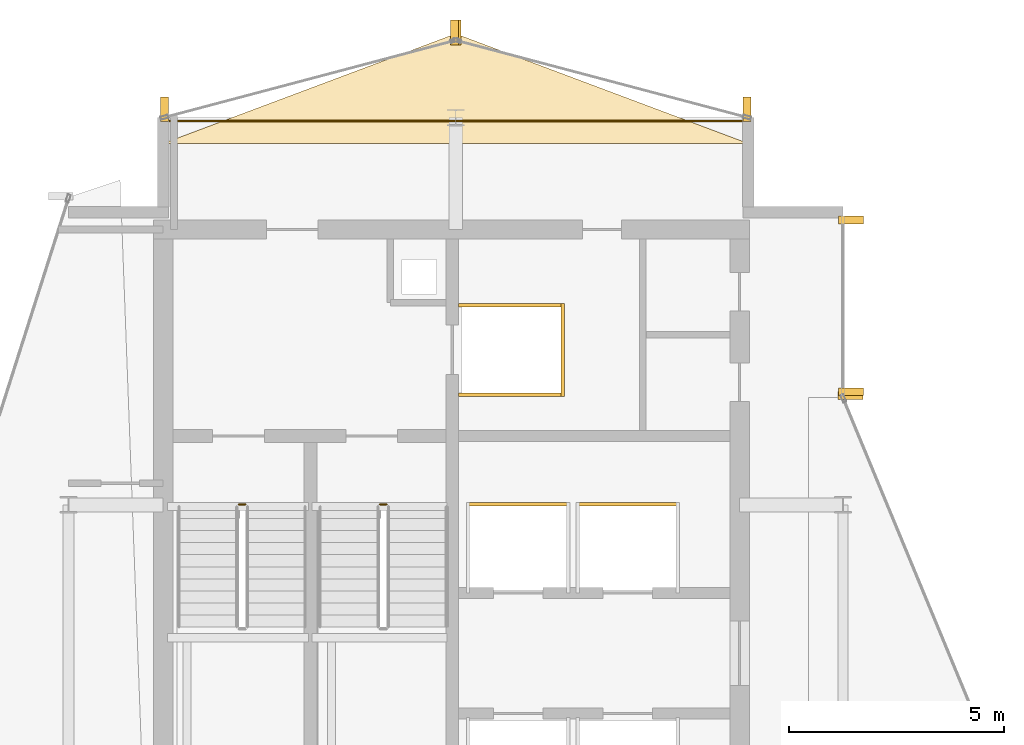
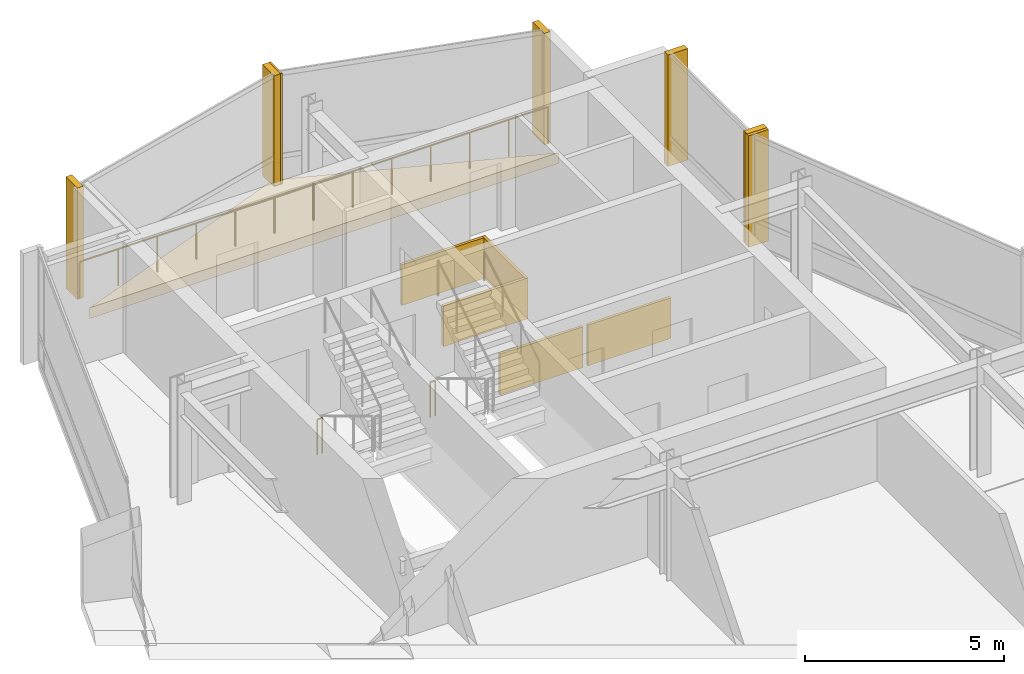
# One storey, part 19 of 19: 13 coverings, 3 railings.
"""IFC4 building model written with IfcOpenShell, lengths in metres."""

from ifc_helpers import new_model, si_unit, direction, frame, origin, origin_2d, place, context, subcontext, project, spatial, polyline, rectangle, circle, outline, extrude, material, layer, layer_set, type_object, element, save


model = new_model("IFC4")

# Units and contexts
model_context = context("Model", 3, precision=1e-05, world=origin(), true_north=direction((0.0, 1.0)))
body_context = subcontext(model_context, "Body", "Model", "MODEL_VIEW")
ifc_project = project(units=[si_unit("LENGTHUNIT", "METRE"), si_unit("AREAUNIT", "SQUARE_METRE"), si_unit("VOLUMEUNIT", "CUBIC_METRE"), si_unit("PLANEANGLEUNIT", "RADIAN"), si_unit("MASSUNIT", "GRAM", prefix="KILO")], contexts=[model_context])

# Site, building, storey
site_placement = place(None, origin())
site = spatial("IfcSite", under=ifc_project, at=site_placement, CompositionType="ELEMENT")
building_placement = place(site_placement, origin())
building = spatial("IfcBuilding", under=site, at=building_placement, Name="Solvaryn Broadcast Tower", CompositionType="ELEMENT")
storey_placement = place(building_placement, frame((0.0, 0.0, 263.0)))
storey = spatial("IfcBuildingStorey", under=building, at=storey_placement, Name="L66", CompositionType="ELEMENT", Elevation=263.0)

# Coverings
ifc_material_1 = material(Name="Fire-Rated Gypsum Shaftwall Liner", Category="concrete")
ifc_layer_1 = layer(ifc_material_1, 0.080078125)
ifc_layer_set_1 = layer_set([ifc_layer_1], Name="CV-SHAFT-LINER")
covering_type_1 = type_object("IfcCoveringType", Name="CV-SHAFT-LINER", PredefinedType="CLADDING", material=ifc_layer_set_1)
for number, where, z_axis, x_axis, name in (
    (1, (19.300048828125, 40.639892578125, 0.0), (0.0, 0.0, 1.0), (1.0, 0.0, 0.0), "L66 FL1 Hoistway Shaft Liner North"),
    (2, (19.300048828125, 38.56005859375, 0.0), (0.0, 0.0, 1.0), (1.0, 0.0, 0.0), "L66 FL1 Hoistway Shaft Liner South"),
):
    element("IfcCovering", number, at=place(storey_placement, frame(where, z_axis=z_axis, x_axis=x_axis)), inside=storey, type_object=covering_type_1, Name=name, PredefinedType="CLADDING", context=body_context, shape_type="SweptSolid", body=[
        extrude(rectangle(XDim=2.4599609375, YDim=0.080078125, at=origin_2d()), origin(), (0.0, 0.0, 1.0), 1.25),
    ])
covering_1_placement = place(storey_placement, frame((20.489990234375, 39.60009765625, 0.0), z_axis=(0.0, 0.0, 1.0), x_axis=(1.0, 0.0, 0.0)))
element("IfcCovering", 3, at=covering_1_placement, inside=storey, type_object=covering_type_1, Name="L66 FL1 Hoistway Shaft Liner East", PredefinedType="CLADDING", context=body_context, shape_type="SweptSolid", body=[
    extrude(rectangle(XDim=0.080078125, YDim=2.159912109375, at=origin_2d()), origin(), (0.0, 0.0, 1.0), 1.25),
])
for number, where, z_axis, x_axis, name in (
    (4, (19.449951171875, 36.014892578125, 0.0), (0.0, 0.0, 1.0), (1.0, 0.0, 0.0), "L66 PH3 Hoistway Shaft Liner North"),
    (5, (22.0, 36.014892578125, 0.0), (0.0, 0.0, 1.0), (1.0, 0.0, 0.0), "L66 PH4 Hoistway Shaft Liner North"),
):
    element("IfcCovering", number, at=place(storey_placement, frame(where, z_axis=z_axis, x_axis=x_axis)), inside=storey, type_object=covering_type_1, Name=name, PredefinedType="CLADDING", context=body_context, shape_type="SweptSolid", body=[
        extrude(rectangle(XDim=2.409912109375, YDim=0.080078125, at=origin_2d()), origin(), (0.0, 0.0, 1.0), 1.25),
    ])
ifc_material_2 = material(Name="Extruded Architectural Terracotta Fin", Category="masonry")
ifc_layer_2 = layer(ifc_material_2, 0.179931640625)
ifc_layer_set_2 = layer_set([ifc_layer_2], Name="CV-TC-FIN")
covering_type_2 = type_object("IfcCoveringType", Name="CV-TC-FIN", PredefinedType="USERDEFINED", material=ifc_layer_set_2)
for number, where, z_axis, x_axis, name in (
    (6, (27.1875, 42.6201171875, 0.0), (0.0, 0.0, 1.0), (1.0, 0.0, 0.0), "L66 Terracotta Vertical Fin FIN-L66-IV-M00"),
    (7, (27.1875, 38.6298828125, 0.0), (0.0, 0.0, 1.0), (1.0, 0.0, 0.0), "L66 Terracotta Vertical Fin FIN-L66-IV-M01"),
    (8, (27.177978515625, 38.541259765625, 0.0), (0.0, 0.0, 1.0), (1.0, 0.0, 0.0), "L66 Terracotta Vertical Fin FIN-L66-CN2-M01"),
):
    element("IfcCovering", number, at=place(storey_placement, frame(where, z_axis=z_axis, x_axis=x_axis)), inside=storey, type_object=covering_type_2, Name=name, ObjectType="FIN", PredefinedType="USERDEFINED", context=body_context, shape_type="SweptSolid", body=[
        extrude(rectangle(XDim=0.580078125, YDim=0.179931640625, at=origin_2d()), origin(), (0.0, 0.0, 1.0), 3.419921875),
    ])
for number, where, z_axis, x_axis, name in (
    (9, (24.77099609375, 45.1953125, 0.0), (0.0, 0.0, 1.0), (1.0, 0.0, 0.0), "L66 Terracotta Vertical Fin FIN-L66-NT1-M00"),
    (10, (18.029052734375, 46.979736328125, 0.0), (0.0, 0.0, 1.0), (1.0, 0.0, 0.0), "L66 Terracotta Vertical Fin FIN-L66-NT1-M01"),
    (11, (17.970947265625, 46.979736328125, 0.0), (0.0, 0.0, 1.0), (1.0, 0.0, 0.0), "L66 Terracotta Vertical Fin FIN-L66-NT2-M00"),
    (12, (11.22900390625, 45.1953125, 0.0), (0.0, 0.0, 1.0), (1.0, 0.0, 0.0), "L66 Terracotta Vertical Fin FIN-L66-NT2-M01"),
):
    element("IfcCovering", number, at=place(storey_placement, frame(where, z_axis=z_axis, x_axis=x_axis)), inside=storey, type_object=covering_type_2, Name=name, ObjectType="FIN", PredefinedType="USERDEFINED", context=body_context, shape_type="SweptSolid", body=[
        extrude(rectangle(XDim=0.179931640625, YDim=0.580078125, at=origin_2d()), origin(), (0.0, 0.0, 1.0), 3.419921875),
    ])
ifc_material_3 = material(Name="Sculpted Architectural Terracotta Wave Fascia", Category="masonry")
ifc_layer_3 = layer(ifc_material_3, 0.340087890625)
ifc_layer_set_3 = layer_set([ifc_layer_3], Name="CV-WAVE-TRAY")
covering_type_3 = type_object("IfcCoveringType", Name="CV-WAVE-TRAY", PredefinedType="CLADDING", material=ifc_layer_set_3)
covering_2_placement = place(storey_placement, frame((0.0, 0.0, -0.300048828125)))
element("IfcCovering", 13, at=covering_2_placement, inside=storey, type_object=covering_type_3, Name="L66 North Curved Wing Deck", PredefinedType="CLADDING", context=body_context, shape_type="SweptSolid", body=[
    extrude(outline(polyline([(11.199951171875, 44.39990234375), (24.800048828125, 44.39990234375), (18.0, 46.949951171875), (11.199951171875, 44.39990234375)])), origin(), (0.0, 0.0, 1.0), 0.330078125),
])

# Railings
ifc_material_4 = material(Name="Painted Steel Stair Well Guard", Category="steel")
railing_type_1 = type_object("IfcRailingType", Name="RL-STAIR-GUARD", PredefinedType="BALUSTRADE", material=ifc_material_4)
railing_1_placement = place(storey_placement, frame((12.9599609375, 36.010009765625, 0.0)))
element("IfcRailing", 14, at=railing_1_placement, inside=storey, type_object=railing_type_1, Name="L66 ST1 stair guard 4", PredefinedType="BALUSTRADE", context=body_context, shape_type="SweptSolid", body=[
    extrude(circle(Radius=0.02392578125, at=origin_2d()), frame((0.0, 0.0, 1.076171875), z_axis=(1.0, 0.0, 0.0), x_axis=(0.0, 1.0, 0.0)), (0.0, 0.0, 1.0), 0.150146484375),
    extrude(circle(Radius=0.02099609375, at=origin_2d()), origin(), (0.0, 0.0, 1.0), 1.052001953125),
    extrude(circle(Radius=0.02099609375, at=origin_2d()), frame((0.150146484375, 0.0, 0.0)), (0.0, 0.0, 1.0), 1.052001953125),
])
railing_2_placement = place(storey_placement, frame((16.239990234375, 36.010009765625, 0.0)))
element("IfcRailing", 15, at=railing_2_placement, inside=storey, type_object=railing_type_1, Name="L66 ST2 stair guard 4", PredefinedType="BALUSTRADE", context=body_context, shape_type="SweptSolid", body=[
    extrude(circle(Radius=0.02392578125, at=origin_2d()), frame((0.0, 0.0, 1.076171875), z_axis=(1.0, 0.0, 0.0), x_axis=(0.0, 1.0, 0.0)), (0.0, 0.0, 1.0), 0.14990234375),
    extrude(circle(Radius=0.02099609375, at=origin_2d()), origin(), (0.0, 0.0, 1.0), 1.052001953125),
    extrude(circle(Radius=0.02099609375, at=origin_2d()), frame((0.14990234375, 0.0, 0.0)), (0.0, 0.0, 1.0), 1.052001953125),
])
ifc_material_5 = material(Name="Stainless Steel and Laminated Glass Guard", Category="steel")
railing_type_2 = type_object("IfcRailingType", Name="RL-TER-1150", PredefinedType="BALUSTRADE", material=ifc_material_5)
railing_3_placement = place(storey_placement, frame((11.199951171875, 44.919921875, 0.0)))
element("IfcRailing", 16, at=railing_3_placement, inside=storey, type_object=railing_type_2, Name="L66 North Wing Spandrel Edge Guard", PredefinedType="BALUSTRADE", context=body_context, shape_type="SweptSolid", body=[
    extrude(circle(Radius=0.02392578125, at=origin_2d()), frame((0.0, 0.0, 1.1259765625), z_axis=(1.0, 0.0, 0.0), x_axis=(0.0, 1.0, 0.0)), (0.0, 0.0, 1.0), 13.60009765625),
    extrude(circle(Radius=0.02099609375, at=origin_2d()), origin(), (0.0, 0.0, 1.0), 1.101806640625),
    extrude(circle(Radius=0.02099609375, at=origin_2d()), frame((1.13330078125, 0.0, 0.0)), (0.0, 0.0, 1.0), 1.101806640625),
    extrude(circle(Radius=0.02099609375, at=origin_2d()), frame((2.2666015625, 0.0, 0.0)), (0.0, 0.0, 1.0), 1.101806640625),
    extrude(circle(Radius=0.02099609375, at=origin_2d()), frame((3.39990234375, 0.0, 0.0)), (0.0, 0.0, 1.0), 1.101806640625),
    extrude(circle(Radius=0.02099609375, at=origin_2d()), frame((4.533447265625, 0.0, 0.0)), (0.0, 0.0, 1.0), 1.101806640625),
    extrude(circle(Radius=0.02099609375, at=origin_2d()), frame((5.666748046875, 0.0, 0.0)), (0.0, 0.0, 1.0), 1.101806640625),
    extrude(circle(Radius=0.02099609375, at=origin_2d()), frame((6.800048828125, 0.0, 0.0)), (0.0, 0.0, 1.0), 1.101806640625),
    extrude(circle(Radius=0.02099609375, at=origin_2d()), frame((7.933349609375, 0.0, 0.0)), (0.0, 0.0, 1.0), 1.101806640625),
    extrude(circle(Radius=0.02099609375, at=origin_2d()), frame((9.066650390625, 0.0, 0.0)), (0.0, 0.0, 1.0), 1.101806640625),
    extrude(circle(Radius=0.02099609375, at=origin_2d()), frame((10.2001953125, 0.0, 0.0)), (0.0, 0.0, 1.0), 1.101806640625),
    extrude(circle(Radius=0.02099609375, at=origin_2d()), frame((11.33349609375, 0.0, 0.0)), (0.0, 0.0, 1.0), 1.101806640625),
    extrude(circle(Radius=0.02099609375, at=origin_2d()), frame((12.466796875, 0.0, 0.0)), (0.0, 0.0, 1.0), 1.101806640625),
    extrude(circle(Radius=0.02099609375, at=origin_2d()), frame((13.60009765625, 0.0, 0.0)), (0.0, 0.0, 1.0), 1.101806640625),
])

save(model, "model.ifc")
